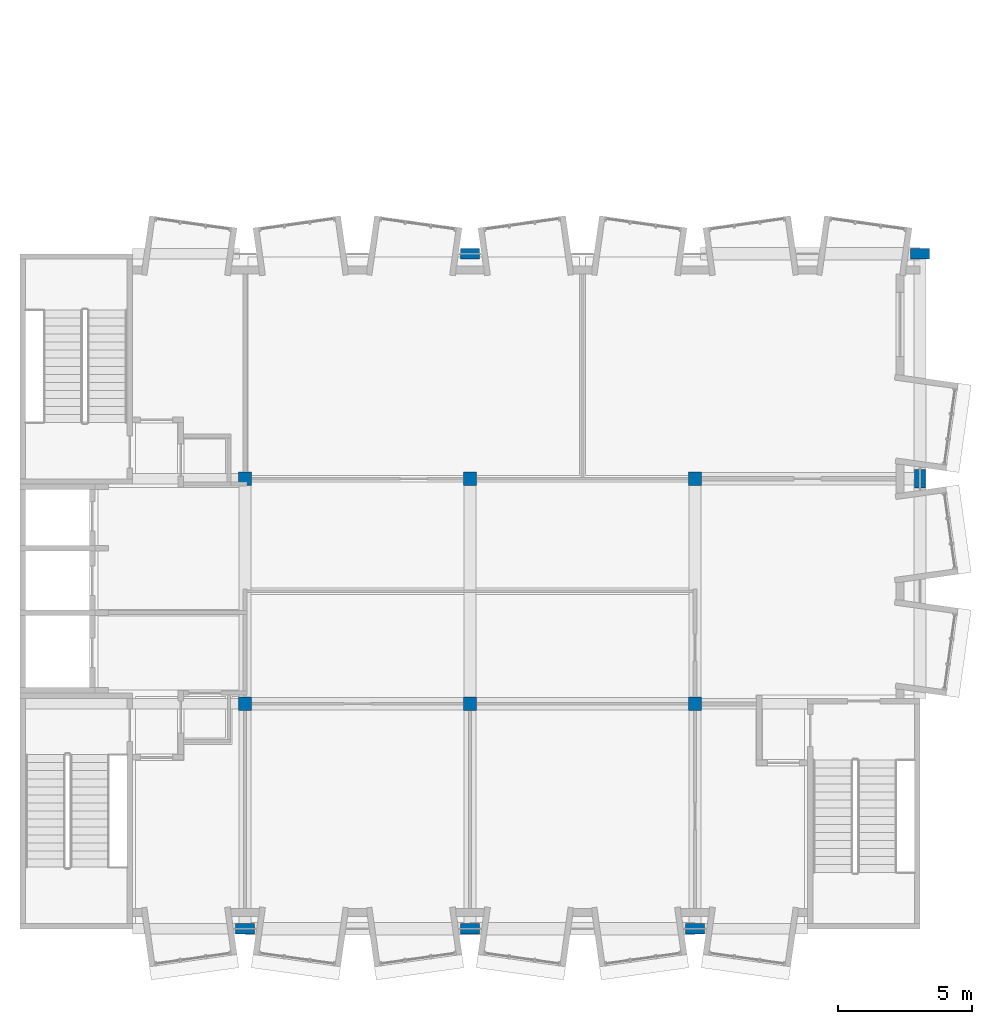
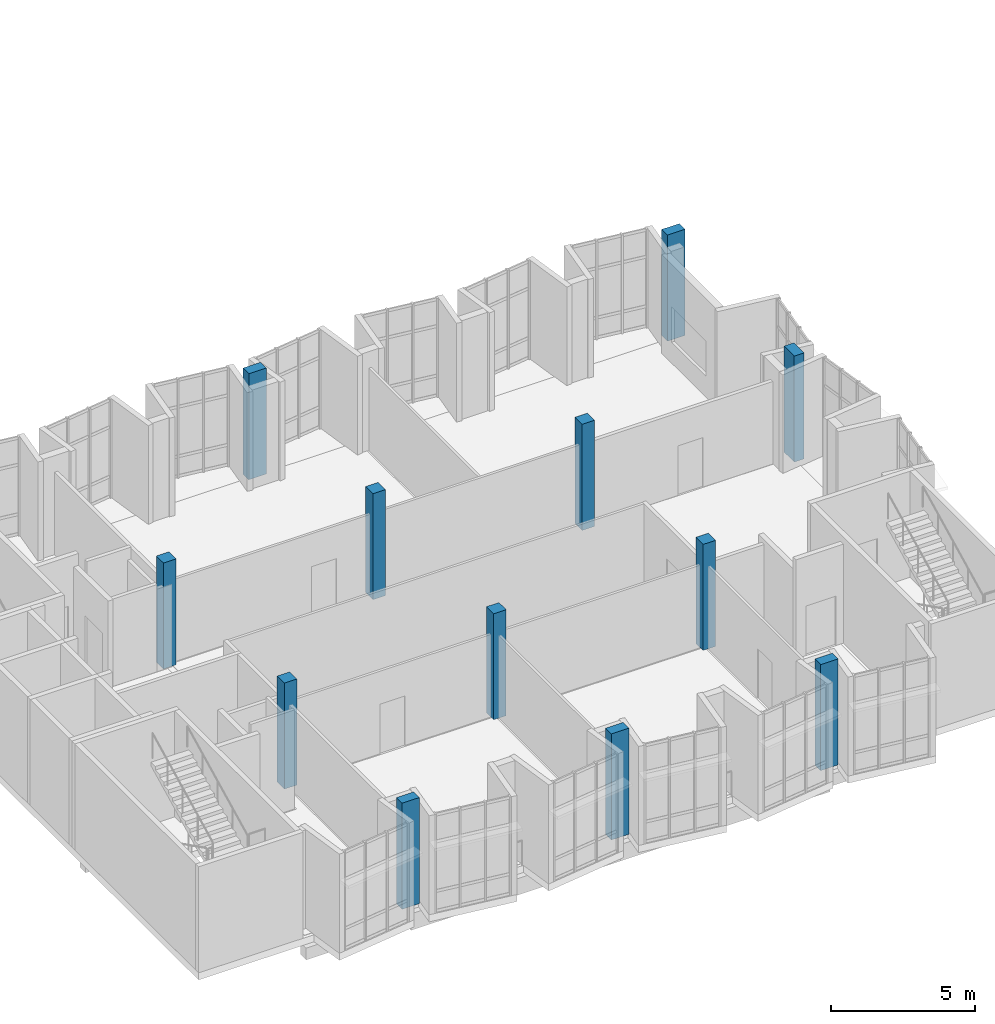
# One storey, part 1 of 18: 12 columns.
"""IFC4 building model written with IfcOpenShell, lengths in metres."""

from ifc_helpers import new_model, si_unit, direction, frame, origin, origin_2d, place, context, subcontext, project, spatial, rectangle, extrude, material, material_profile, profile_set, type_object, element, save


model = new_model("IFC4")

# Units and contexts
model_context = context("Model", 3, precision=1e-05, world=origin(), true_north=direction((0.0, 1.0)))
body_context = subcontext(model_context, "Body", "Model", "MODEL_VIEW")
ifc_project = project(units=[si_unit("LENGTHUNIT", "METRE"), si_unit("AREAUNIT", "SQUARE_METRE"), si_unit("VOLUMEUNIT", "CUBIC_METRE"), si_unit("PLANEANGLEUNIT", "RADIAN"), si_unit("MASSUNIT", "GRAM", prefix="KILO")], contexts=[model_context])

# Site, building, storey
site_placement = place(None, origin())
site = spatial("IfcSite", under=ifc_project, at=site_placement, CompositionType="ELEMENT")
building_placement = place(site_placement, origin())
building = spatial("IfcBuilding", under=site, at=building_placement, Name="Kiln Court Media Centre", CompositionType="ELEMENT")
storey_placement = place(building_placement, frame((0.0, 0.0, 33.60009765625)))
storey = spatial("IfcBuildingStorey", under=building, at=storey_placement, Name="L07", CompositionType="ELEMENT", Elevation=33.60009765625)

# Columns
ifc_material_1 = material(Name="Concrete C40/50", Category="concrete")
ifc_material_profile_1 = material_profile(ifc_material_1, rectangle(XDim=0.5, YDim=0.5, at=origin_2d()), Name="RC 500x500")
ifc_profile_set_1 = profile_set([ifc_material_profile_1], Name="Concrete C40/50")
column_type_1 = type_object("IfcColumnType", Name="Concrete C40/50 column 500x500", PredefinedType="COLUMN", material=ifc_profile_set_1)
for number, where, z_axis, x_axis, name in (
    (1, (8.39990234375, 8.39990234375, 0.0), (0.0, 0.0, 1.0), (1.0, 0.0, 0.0), "L07-C-1001"),
    (2, (8.39990234375, 16.800048828125, 0.0), (0.0, 0.0, 1.0), (1.0, 0.0, 0.0), "L07-C-1002"),
    (3, (16.800048828125, 8.39990234375, 0.0), (0.0, 0.0, 1.0), (1.0, 0.0, 0.0), "L07-C-1004"),
    (4, (16.800048828125, 16.800048828125, 0.0), (0.0, 0.0, 1.0), (1.0, 0.0, 0.0), "L07-C-1005"),
    (5, (25.199951171875, 8.39990234375, 0.0), (0.0, 0.0, 1.0), (1.0, 0.0, 0.0), "L07-C-1008"),
    (6, (25.199951171875, 16.800048828125, 0.0), (0.0, 0.0, 1.0), (1.0, 0.0, 0.0), "L07-C-1009"),
):
    element("IfcColumn", number, at=place(storey_placement, frame(where, z_axis=z_axis, x_axis=x_axis)), inside=storey, type_object=column_type_1, Name=name, PredefinedType="COLUMN", context=body_context, shape_type="SweptSolid", body=[
        extrude(rectangle(XDim=0.5, YDim=0.5, at=origin_2d()), origin(), (0.0, 0.0, 1.0), 4.5),
    ])
ifc_material_2 = material(Name="Concrete C40/50", Category="concrete")
ifc_material_profile_2 = material_profile(ifc_material_2, rectangle(XDim=0.699951171875, YDim=0.39990234375, at=origin_2d()), Name="RC 700x400")
ifc_profile_set_2 = profile_set([ifc_material_profile_2], Name="Concrete C40/50")
column_type_2 = type_object("IfcColumnType", Name="Concrete C40/50 column 700x400", PredefinedType="COLUMN", material=ifc_profile_set_2)
for number, where, z_axis, x_axis, name in (
    (7, (8.39990234375, 0.0, 0.0), (0.0, 0.0, 1.0), (1.0, 0.0, 0.0), "L07-C-1000"),
    (8, (16.800048828125, 0.0, 0.0), (0.0, 0.0, 1.0), (1.0, 0.0, 0.0), "L07-C-1003"),
    (9, (16.800048828125, 25.199951171875, 0.0), (0.0, 0.0, 1.0), (1.0, 0.0, 0.0), "L07-C-1006"),
    (10, (25.199951171875, 0.0, 0.0), (0.0, 0.0, 1.0), (1.0, 0.0, 0.0), "L07-C-1007"),
    (11, (33.60009765625, 16.800048828125, 0.0), (0.0, 0.0, 1.0), (0.0, 1.0, 0.0), "L07-C-1010"),
    (12, (33.60009765625, 25.199951171875, 0.0), (0.0, 0.0, 1.0), (1.0, 0.0, 0.0), "L07-C-1011"),
):
    element("IfcColumn", number, at=place(storey_placement, frame(where, z_axis=z_axis, x_axis=x_axis)), inside=storey, type_object=column_type_2, Name=name, PredefinedType="COLUMN", context=body_context, shape_type="SweptSolid", body=[
        extrude(rectangle(XDim=0.699951171875, YDim=0.39990234375, at=origin_2d()), origin(), (0.0, 0.0, 1.0), 4.5),
    ])

save(model, "model.ifc")
